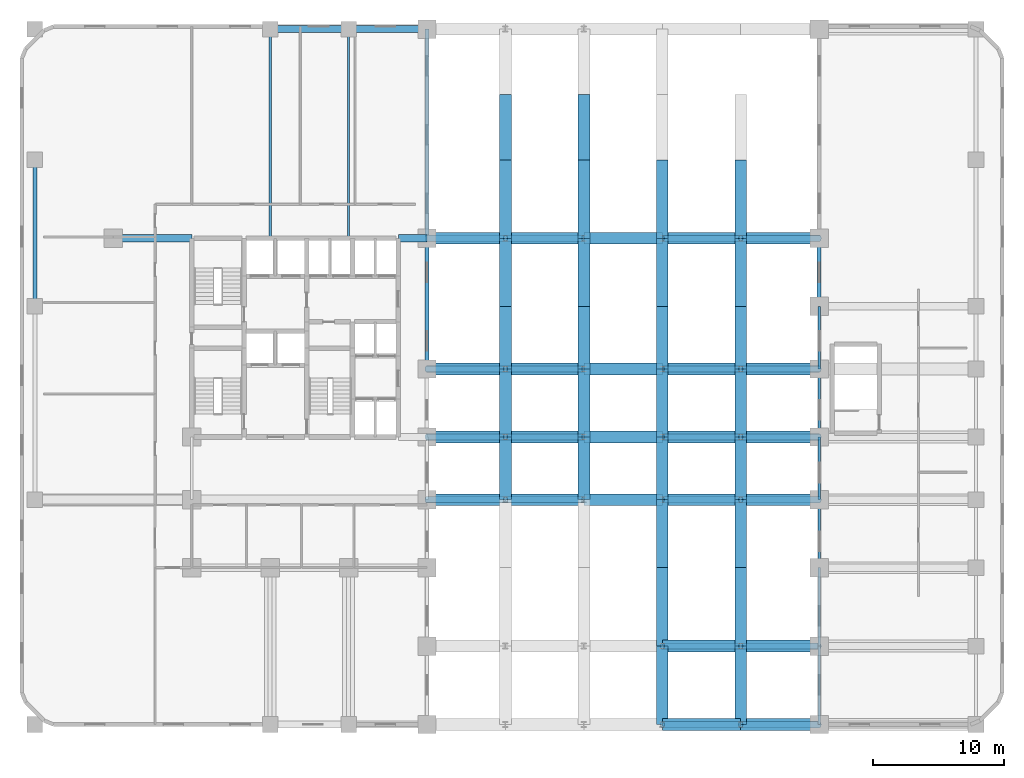
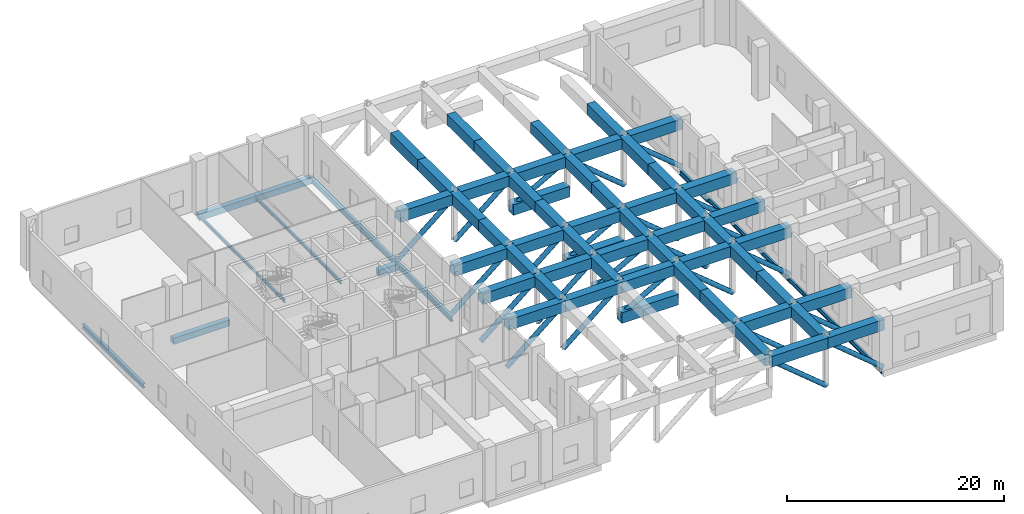
# One storey, part 2 of 11: 72 beams, 24 members.
"""IFC4 building model written with IfcOpenShell, lengths in metres."""

from ifc_helpers import new_model, si_unit, direction, frame, origin, origin_2d, place, context, subcontext, project, spatial, rectangle, hollow_circle, i_section, extrude, material, material_profile, profile_set, type_object, element, save


model = new_model("IFC4")

# Units and contexts
model_context = context("Model", 3, precision=1e-05, world=origin(), true_north=direction((0.0, 1.0)))
body_context = subcontext(model_context, "Body", "Model", "MODEL_VIEW")
ifc_project = project(units=[si_unit("LENGTHUNIT", "METRE"), si_unit("AREAUNIT", "SQUARE_METRE"), si_unit("VOLUMEUNIT", "CUBIC_METRE"), si_unit("PLANEANGLEUNIT", "RADIAN"), si_unit("MASSUNIT", "GRAM", prefix="KILO")], contexts=[model_context])

# Site, building, storey
site_placement = place(None, origin())
site = spatial("IfcSite", under=ifc_project, at=site_placement, CompositionType="ELEMENT")
building_placement = place(site_placement, origin())
building = spatial("IfcBuilding", under=site, at=building_placement, Name="Keshet Zoharim Tower", CompositionType="ELEMENT")
storey_placement = place(building_placement, frame((0.0, 0.0, 13.0)))
storey = spatial("IfcBuildingStorey", under=building, at=storey_placement, Name="L02", CompositionType="ELEMENT", Elevation=13.0)

# Beams
ifc_material_1 = material(Name="Concrete C60/75", Category="concrete")
ifc_material_profile_1 = material_profile(ifc_material_1, rectangle(XDim=0.89990234375, YDim=1.199951171875, at=origin_2d()), Name="RC1200x900")
ifc_profile_set_1 = profile_set([ifc_material_profile_1], Name="Concrete C60/75")
beam_type_1 = type_object("IfcBeamType", Name="BM-ARCH-1200", PredefinedType="BEAM", material=ifc_profile_set_1)
for number, where, z_axis, x_axis, name in (
    (1, (45.0, 17.89990234375, 1.56298828125), (1.0, 0.0, 0.0), (0.0, 1.0, 0.0), "Arch Spandrel Transfer Rib D-03"),
    (2, (45.0, 22.699951171875, 1.56298828125), (1.0, 0.0, 0.0), (0.0, 1.0, 0.0), "Arch Spandrel Transfer Rib E-03"),
    (3, (45.0, 27.89990234375, 1.56298828125), (1.0, 0.0, 0.0), (0.0, 1.0, 0.0), "Arch Spandrel Transfer Rib F-03"),
    (4, (45.0, 37.89990234375, 1.56298828125), (1.0, 0.0, 0.0), (0.0, 1.0, 0.0), "Arch Spandrel Transfer Rib H-03"),
):
    element("IfcBeam", number, at=place(storey_placement, frame(where, z_axis=z_axis, x_axis=x_axis)), inside=storey, type_object=beam_type_1, Name=name, PredefinedType="BEAM", context=body_context, shape_type="SweptSolid", body=[
        extrude(rectangle(XDim=0.89990234375, YDim=1.199951171875, at=origin_2d()), origin(), (0.0, 0.0, 1.0), 6.0),
    ])
ifc_material_2 = material(Name="Steel S355", Category="steel")
ifc_material_profile_2 = material_profile(ifc_material_2, i_section(OverallWidth=0.169921875, OverallDepth=0.360107421875, WebThickness=0.008056640625, FlangeThickness=0.0126953125, FilletRadius=0.01806640625, at=origin_2d()), Name="IPE360")
ifc_profile_set_2 = profile_set([ifc_material_profile_2], Name="Steel S355")
beam_type_2 = type_object("IfcBeamType", Name="BM-JST-IP360", PredefinedType="JOIST", material=ifc_profile_set_2)
for number, where, z_axis, x_axis, name in (
    (5, (21.0, 37.89990234375, -0.510009765625), (0.0, 1.0, 0.0), (-1.0, 0.0, 0.0), "L02 Secondary Floor Joist J-001"),
    (6, (27.0, 37.89990234375, -0.510009765625), (0.0, 1.0, 0.0), (-1.0, 0.0, 0.0), "L02 Secondary Floor Joist J-002"),
):
    element("IfcBeam", number, at=place(storey_placement, frame(where, z_axis=z_axis, x_axis=x_axis)), inside=storey, type_object=beam_type_2, Name=name, PredefinedType="JOIST", context=body_context, shape_type="SweptSolid", body=[
        extrude(i_section(OverallWidth=0.169921875, OverallDepth=0.360107421875, WebThickness=0.008056640625, FlangeThickness=0.0126953125, FilletRadius=0.01806640625, at=origin_2d()), origin(), (0.0, 0.0, 1.0), 16.0),
    ])
ifc_material_profile_3 = material_profile(ifc_material_2, i_section(OverallWidth=0.300048828125, OverallDepth=0.60009765625, WebThickness=0.015380859375, FlangeThickness=0.030029296875, FilletRadius=0.027099609375, at=origin_2d()), Name="HEB600")
ifc_profile_set_3 = profile_set([ifc_material_profile_3], Name="Steel S355")
beam_type_3 = type_object("IfcBeamType", Name="BM-LNG-HB600", PredefinedType="BEAM", material=ifc_profile_set_3)
beam_1_placement = place(storey_placement, frame((33.0, 27.89990234375, -0.6298828125), z_axis=(0.0, 1.0, 0.0), x_axis=(-1.0, 0.0, 0.0)))
element("IfcBeam", 7, at=beam_1_placement, inside=storey, type_object=beam_type_3, Name="L02 Primary Girder Y-012", PredefinedType="BEAM", context=body_context, shape_type="SweptSolid", body=[
    extrude(i_section(OverallWidth=0.300048828125, OverallDepth=0.60009765625, WebThickness=0.015380859375, FlangeThickness=0.030029296875, FilletRadius=0.027099609375, at=origin_2d()), origin(), (0.0, 0.0, 1.0), 10.0),
])
beam_2_placement = place(storey_placement, frame((33.0, 37.89990234375, -0.6298828125), z_axis=(0.0, 1.0, 0.0), x_axis=(-1.0, 0.0, 0.0)))
element("IfcBeam", 8, at=beam_2_placement, inside=storey, type_object=beam_type_3, Name="L02 Primary Girder Y-013", PredefinedType="BEAM", context=body_context, shape_type="SweptSolid", body=[
    extrude(i_section(OverallWidth=0.300048828125, OverallDepth=0.60009765625, WebThickness=0.015380859375, FlangeThickness=0.030029296875, FilletRadius=0.027099609375, at=origin_2d()), origin(), (0.0, 0.0, 1.0), 16.0),
])
beam_3_placement = place(storey_placement, frame((63.0, 32.699951171875, -0.6298828125), z_axis=(0.0, 1.0, 0.0), x_axis=(-1.0, 0.0, 0.0)))
element("IfcBeam", 9, at=beam_3_placement, inside=storey, type_object=beam_type_3, Name="L02 Primary Girder Y-020", PredefinedType="BEAM", context=body_context, shape_type="SweptSolid", body=[
    extrude(i_section(OverallWidth=0.300048828125, OverallDepth=0.60009765625, WebThickness=0.015380859375, FlangeThickness=0.030029296875, FilletRadius=0.027099609375, at=origin_2d()), origin(), (0.0, 0.0, 1.0), 5.199951171875),
])
ifc_material_3 = material(Name="Concrete C50/60", Category="concrete")
ifc_material_profile_4 = material_profile(ifc_material_3, rectangle(XDim=0.550048828125, YDim=0.699951171875, at=origin_2d()), Name="RC700x550")
ifc_profile_set_4 = profile_set([ifc_material_profile_4], Name="Concrete C50/60")
beam_type_4 = type_object("IfcBeamType", Name="BM-LNT-700", PredefinedType="LINTEL", material=ifc_profile_set_4)
beam_4_placement = place(storey_placement, frame((9.0, 37.89990234375, -0.679931640625), z_axis=(1.0, 0.0, 0.0), x_axis=(0.0, 1.0, 0.0)))
element("IfcBeam", 10, at=beam_4_placement, inside=storey, type_object=beam_type_4, Name="L02 Primary Girder X-015", PredefinedType="LINTEL", context=body_context, shape_type="SweptSolid", body=[
    extrude(rectangle(XDim=0.550048828125, YDim=0.699951171875, at=origin_2d()), origin(), (0.0, 0.0, 1.0), 6.0),
])
beam_5_placement = place(storey_placement, frame((30.800048828125, 37.89990234375, -0.679931640625), z_axis=(1.0, 0.0, 0.0), x_axis=(0.0, 1.0, 0.0)))
element("IfcBeam", 11, at=beam_5_placement, inside=storey, type_object=beam_type_4, Name="L02 Primary Girder X-016", PredefinedType="LINTEL", context=body_context, shape_type="SweptSolid", body=[
    extrude(rectangle(XDim=0.550048828125, YDim=0.699951171875, at=origin_2d()), origin(), (0.0, 0.0, 1.0), 2.199951171875),
])
for number, where, z_axis, x_axis, name in (
    (12, (21.0, 53.89990234375, -0.679931640625), (1.0, 0.0, 0.0), (0.0, 1.0, 0.0), "L02 Primary Girder X-017"),
    (13, (27.0, 53.89990234375, -0.679931640625), (1.0, 0.0, 0.0), (0.0, 1.0, 0.0), "L02 Primary Girder X-018"),
):
    element("IfcBeam", number, at=place(storey_placement, frame(where, z_axis=z_axis, x_axis=x_axis)), inside=storey, type_object=beam_type_4, Name=name, PredefinedType="LINTEL", context=body_context, shape_type="SweptSolid", body=[
        extrude(rectangle(XDim=0.550048828125, YDim=0.699951171875, at=origin_2d()), origin(), (0.0, 0.0, 1.0), 6.0),
    ])
ifc_material_profile_5 = material_profile(ifc_material_2, i_section(OverallWidth=0.300048828125, OverallDepth=0.5, WebThickness=0.014404296875, FlangeThickness=0.028076171875, FilletRadius=0.027099609375, at=origin_2d()), Name="HEB500")
ifc_profile_set_5 = profile_set([ifc_material_profile_5], Name="Steel S355")
beam_type_5 = type_object("IfcBeamType", Name="BM-MED-HB500", PredefinedType="BEAM", material=ifc_profile_set_5)
beam_6_placement = place(storey_placement, frame((3.0, 32.699951171875, -0.580078125), z_axis=(0.0, 1.0, 0.0), x_axis=(-1.0, 0.0, 0.0)))
element("IfcBeam", 14, at=beam_6_placement, inside=storey, type_object=beam_type_5, Name="L02 Primary Girder Y-002", PredefinedType="BEAM", context=body_context, shape_type="SweptSolid", body=[
    extrude(i_section(OverallWidth=0.300048828125, OverallDepth=0.5, WebThickness=0.014404296875, FlangeThickness=0.028076171875, FilletRadius=0.027099609375, at=origin_2d()), origin(), (0.0, 0.0, 1.0), 11.199951171875),
])
ifc_material_profile_6 = material_profile(ifc_material_2, i_section(OverallWidth=0.199951171875, OverallDepth=0.5, WebThickness=0.01025390625, FlangeThickness=0.01611328125, FilletRadius=0.02099609375, at=origin_2d()), Name="IPE500")
ifc_profile_set_6 = profile_set([ifc_material_profile_6], Name="Steel S355")
beam_type_6 = type_object("IfcBeamType", Name="BM-PRI-IP500", PredefinedType="BEAM", material=ifc_profile_set_6)
for number, where, z_axis, x_axis, name in (
    (15, (63.0, 0.699951171875, -0.580078125), (0.0, 1.0, 0.0), (-1.0, 0.0, 0.0), "L02 Primary Girder Y-014"),
    (16, (63.0, 6.699951171875, -0.580078125), (0.0, 1.0, 0.0), (-1.0, 0.0, 0.0), "L02 Primary Girder Y-015"),
):
    element("IfcBeam", number, at=place(storey_placement, frame(where, z_axis=z_axis, x_axis=x_axis)), inside=storey, type_object=beam_type_6, Name=name, PredefinedType="BEAM", context=body_context, shape_type="SweptSolid", body=[
        extrude(i_section(OverallWidth=0.199951171875, OverallDepth=0.5, WebThickness=0.01025390625, FlangeThickness=0.01611328125, FilletRadius=0.02099609375, at=origin_2d()), origin(), (0.0, 0.0, 1.0), 6.0),
    ])
beam_7_placement = place(storey_placement, frame((63.0, 12.699951171875, -0.580078125), z_axis=(0.0, 1.0, 0.0), x_axis=(-1.0, 0.0, 0.0)))
element("IfcBeam", 17, at=beam_7_placement, inside=storey, type_object=beam_type_6, Name="L02 Primary Girder Y-016", PredefinedType="BEAM", context=body_context, shape_type="SweptSolid", body=[
    extrude(i_section(OverallWidth=0.199951171875, OverallDepth=0.5, WebThickness=0.01025390625, FlangeThickness=0.01611328125, FilletRadius=0.02099609375, at=origin_2d()), origin(), (0.0, 0.0, 1.0), 5.199951171875),
])
beam_8_placement = place(storey_placement, frame((63.0, 17.89990234375, -0.580078125), z_axis=(0.0, 1.0, 0.0), x_axis=(-1.0, 0.0, 0.0)))
element("IfcBeam", 18, at=beam_8_placement, inside=storey, type_object=beam_type_6, Name="L02 Primary Girder Y-017", PredefinedType="BEAM", context=body_context, shape_type="SweptSolid", body=[
    extrude(i_section(OverallWidth=0.199951171875, OverallDepth=0.5, WebThickness=0.01025390625, FlangeThickness=0.01611328125, FilletRadius=0.02099609375, at=origin_2d()), origin(), (0.0, 0.0, 1.0), 4.800048828125),
])
beam_9_placement = place(storey_placement, frame((63.0, 22.699951171875, -0.580078125), z_axis=(0.0, 1.0, 0.0), x_axis=(-1.0, 0.0, 0.0)))
element("IfcBeam", 19, at=beam_9_placement, inside=storey, type_object=beam_type_6, Name="L02 Primary Girder Y-018", PredefinedType="BEAM", context=body_context, shape_type="SweptSolid", body=[
    extrude(i_section(OverallWidth=0.199951171875, OverallDepth=0.5, WebThickness=0.01025390625, FlangeThickness=0.01611328125, FilletRadius=0.02099609375, at=origin_2d()), origin(), (0.0, 0.0, 1.0), 5.199951171875),
])
beam_10_placement = place(storey_placement, frame((63.0, 27.89990234375, -0.580078125), z_axis=(0.0, 1.0, 0.0), x_axis=(-1.0, 0.0, 0.0)))
element("IfcBeam", 20, at=beam_10_placement, inside=storey, type_object=beam_type_6, Name="L02 Primary Girder Y-019", PredefinedType="BEAM", context=body_context, shape_type="SweptSolid", body=[
    extrude(i_section(OverallWidth=0.199951171875, OverallDepth=0.5, WebThickness=0.01025390625, FlangeThickness=0.01611328125, FilletRadius=0.02099609375, at=origin_2d()), origin(), (0.0, 0.0, 1.0), 4.800048828125),
])
ifc_material_profile_7 = material_profile(ifc_material_1, rectangle(XDim=0.89990234375, YDim=1.199951171875, at=origin_2d()), Name="RC1200x900")
ifc_profile_set_7 = profile_set([ifc_material_profile_7], Name="Concrete C60/75")
beam_type_7 = type_object("IfcBeamType", Name="BM-XFER-1200", PredefinedType="BEAM", material=ifc_profile_set_7)
for number, where, z_axis, x_axis, name in (
    (21, (51.0, 0.699951171875, 4.97998046875), (1.0, 0.0, 0.0), (0.0, 1.0, 0.0), "Podium Transfer Girder A 51-57"),
    (22, (57.0, 0.699951171875, 4.97998046875), (1.0, 0.0, 0.0), (0.0, 1.0, 0.0), "Podium Transfer Girder A 57-63"),
    (23, (51.0, 6.699951171875, 4.97998046875), (1.0, 0.0, 0.0), (0.0, 1.0, 0.0), "Podium Transfer Girder B 51-57"),
    (24, (57.0, 6.699951171875, 4.97998046875), (1.0, 0.0, 0.0), (0.0, 1.0, 0.0), "Podium Transfer Girder B 57-63"),
    (25, (33.0, 17.89990234375, 4.97998046875), (1.0, 0.0, 0.0), (0.0, 1.0, 0.0), "Podium Transfer Girder D 33-39"),
    (26, (39.0, 17.89990234375, 4.97998046875), (1.0, 0.0, 0.0), (0.0, 1.0, 0.0), "Podium Transfer Girder D 39-45"),
    (27, (45.0, 17.89990234375, 4.97998046875), (1.0, 0.0, 0.0), (0.0, 1.0, 0.0), "Podium Transfer Girder D 45-51"),
    (28, (51.0, 17.89990234375, 4.97998046875), (1.0, 0.0, 0.0), (0.0, 1.0, 0.0), "Podium Transfer Girder D 51-57"),
    (29, (57.0, 17.89990234375, 4.97998046875), (1.0, 0.0, 0.0), (0.0, 1.0, 0.0), "Podium Transfer Girder D 57-63"),
    (30, (33.0, 22.699951171875, 4.97998046875), (1.0, 0.0, 0.0), (0.0, 1.0, 0.0), "Podium Transfer Girder E 33-39"),
    (31, (39.0, 22.699951171875, 4.97998046875), (1.0, 0.0, 0.0), (0.0, 1.0, 0.0), "Podium Transfer Girder E 39-45"),
    (32, (45.0, 22.699951171875, 4.97998046875), (1.0, 0.0, 0.0), (0.0, 1.0, 0.0), "Podium Transfer Girder E 45-51"),
    (33, (51.0, 22.699951171875, 4.97998046875), (1.0, 0.0, 0.0), (0.0, 1.0, 0.0), "Podium Transfer Girder E 51-57"),
    (34, (57.0, 22.699951171875, 4.97998046875), (1.0, 0.0, 0.0), (0.0, 1.0, 0.0), "Podium Transfer Girder E 57-63"),
    (35, (33.0, 27.89990234375, 4.97998046875), (1.0, 0.0, 0.0), (0.0, 1.0, 0.0), "Podium Transfer Girder F 33-39"),
    (36, (39.0, 27.89990234375, 4.97998046875), (1.0, 0.0, 0.0), (0.0, 1.0, 0.0), "Podium Transfer Girder F 39-45"),
    (37, (45.0, 27.89990234375, 4.97998046875), (1.0, 0.0, 0.0), (0.0, 1.0, 0.0), "Podium Transfer Girder F 45-51"),
    (38, (51.0, 27.89990234375, 4.97998046875), (1.0, 0.0, 0.0), (0.0, 1.0, 0.0), "Podium Transfer Girder F 51-57"),
    (39, (57.0, 27.89990234375, 4.97998046875), (1.0, 0.0, 0.0), (0.0, 1.0, 0.0), "Podium Transfer Girder F 57-63"),
    (40, (33.0, 37.89990234375, 4.97998046875), (1.0, 0.0, 0.0), (0.0, 1.0, 0.0), "Podium Transfer Girder H 33-39"),
    (41, (39.0, 37.89990234375, 4.97998046875), (1.0, 0.0, 0.0), (0.0, 1.0, 0.0), "Podium Transfer Girder H 39-45"),
    (42, (45.0, 37.89990234375, 4.97998046875), (1.0, 0.0, 0.0), (0.0, 1.0, 0.0), "Podium Transfer Girder H 45-51"),
    (43, (51.0, 37.89990234375, 4.97998046875), (1.0, 0.0, 0.0), (0.0, 1.0, 0.0), "Podium Transfer Girder H 51-57"),
    (44, (57.0, 37.89990234375, 4.97998046875), (1.0, 0.0, 0.0), (0.0, 1.0, 0.0), "Podium Transfer Girder H 57-63"),
):
    element("IfcBeam", number, at=place(storey_placement, frame(where, z_axis=z_axis, x_axis=x_axis)), inside=storey, type_object=beam_type_7, Name=name, PredefinedType="BEAM", context=body_context, shape_type="SweptSolid", body=[
        extrude(rectangle(XDim=0.89990234375, YDim=1.199951171875, at=origin_2d()), origin(), (0.0, 0.0, 1.0), 6.0),
    ])
beam_11_placement = place(storey_placement, frame((39.0, 17.89990234375, 4.97998046875), z_axis=(0.0, 1.0, 0.0), x_axis=(-1.0, 0.0, 0.0)))
element("IfcBeam", 45, at=beam_11_placement, inside=storey, type_object=beam_type_7, Name="Podium Transverse Transfer Girder X39-17.9", PredefinedType="BEAM", context=body_context, shape_type="SweptSolid", body=[
    extrude(rectangle(XDim=0.89990234375, YDim=1.199951171875, at=origin_2d()), origin(), (0.0, 0.0, 1.0), 4.800048828125),
])
beam_12_placement = place(storey_placement, frame((39.0, 22.699951171875, 4.97998046875), z_axis=(0.0, 1.0, 0.0), x_axis=(-1.0, 0.0, 0.0)))
element("IfcBeam", 46, at=beam_12_placement, inside=storey, type_object=beam_type_7, Name="Podium Transverse Transfer Girder X39-22.7", PredefinedType="BEAM", context=body_context, shape_type="SweptSolid", body=[
    extrude(rectangle(XDim=0.89990234375, YDim=1.199951171875, at=origin_2d()), origin(), (0.0, 0.0, 1.0), 5.199951171875),
])
beam_13_placement = place(storey_placement, frame((39.0, 27.89990234375, 4.97998046875), z_axis=(0.0, 1.0, 0.0), x_axis=(-1.0, 0.0, 0.0)))
element("IfcBeam", 47, at=beam_13_placement, inside=storey, type_object=beam_type_7, Name="Podium Transverse Transfer Girder X39-27.9", PredefinedType="BEAM", context=body_context, shape_type="SweptSolid", body=[
    extrude(rectangle(XDim=0.89990234375, YDim=1.199951171875, at=origin_2d()), origin(), (0.0, 0.0, 1.0), 4.800048828125),
])
beam_14_placement = place(storey_placement, frame((39.0, 32.699951171875, 4.97998046875), z_axis=(0.0, 1.0, 0.0), x_axis=(-1.0, 0.0, 0.0)))
element("IfcBeam", 48, at=beam_14_placement, inside=storey, type_object=beam_type_7, Name="Podium Transverse Transfer Girder X39-32.7", PredefinedType="BEAM", context=body_context, shape_type="SweptSolid", body=[
    extrude(rectangle(XDim=0.89990234375, YDim=1.199951171875, at=origin_2d()), origin(), (0.0, 0.0, 1.0), 5.199951171875),
])
beam_15_placement = place(storey_placement, frame((39.0, 37.89990234375, 4.97998046875), z_axis=(0.0, 1.0, 0.0), x_axis=(-1.0, 0.0, 0.0)))
element("IfcBeam", 49, at=beam_15_placement, inside=storey, type_object=beam_type_7, Name="Podium Transverse Transfer Girder X39-37.9", PredefinedType="BEAM", context=body_context, shape_type="SweptSolid", body=[
    extrude(rectangle(XDim=0.89990234375, YDim=1.199951171875, at=origin_2d()), origin(), (0.0, 0.0, 1.0), 6.0),
])
beam_16_placement = place(storey_placement, frame((39.0, 43.89990234375, 4.97998046875), z_axis=(0.0, 1.0, 0.0), x_axis=(-1.0, 0.0, 0.0)))
element("IfcBeam", 50, at=beam_16_placement, inside=storey, type_object=beam_type_7, Name="Podium Transverse Transfer Girder X39-43.9", PredefinedType="BEAM", context=body_context, shape_type="SweptSolid", body=[
    extrude(rectangle(XDim=0.89990234375, YDim=1.199951171875, at=origin_2d()), origin(), (0.0, 0.0, 1.0), 5.0),
])
beam_17_placement = place(storey_placement, frame((45.0, 17.89990234375, 4.97998046875), z_axis=(0.0, 1.0, 0.0), x_axis=(-1.0, 0.0, 0.0)))
element("IfcBeam", 51, at=beam_17_placement, inside=storey, type_object=beam_type_7, Name="Podium Transverse Transfer Girder X45-17.9", PredefinedType="BEAM", context=body_context, shape_type="SweptSolid", body=[
    extrude(rectangle(XDim=0.89990234375, YDim=1.199951171875, at=origin_2d()), origin(), (0.0, 0.0, 1.0), 4.800048828125),
])
beam_18_placement = place(storey_placement, frame((45.0, 22.699951171875, 4.97998046875), z_axis=(0.0, 1.0, 0.0), x_axis=(-1.0, 0.0, 0.0)))
element("IfcBeam", 52, at=beam_18_placement, inside=storey, type_object=beam_type_7, Name="Podium Transverse Transfer Girder X45-22.7", PredefinedType="BEAM", context=body_context, shape_type="SweptSolid", body=[
    extrude(rectangle(XDim=0.89990234375, YDim=1.199951171875, at=origin_2d()), origin(), (0.0, 0.0, 1.0), 5.199951171875),
])
beam_19_placement = place(storey_placement, frame((45.0, 27.89990234375, 4.97998046875), z_axis=(0.0, 1.0, 0.0), x_axis=(-1.0, 0.0, 0.0)))
element("IfcBeam", 53, at=beam_19_placement, inside=storey, type_object=beam_type_7, Name="Podium Transverse Transfer Girder X45-27.9", PredefinedType="BEAM", context=body_context, shape_type="SweptSolid", body=[
    extrude(rectangle(XDim=0.89990234375, YDim=1.199951171875, at=origin_2d()), origin(), (0.0, 0.0, 1.0), 4.800048828125),
])
beam_20_placement = place(storey_placement, frame((45.0, 32.699951171875, 4.97998046875), z_axis=(0.0, 1.0, 0.0), x_axis=(-1.0, 0.0, 0.0)))
element("IfcBeam", 54, at=beam_20_placement, inside=storey, type_object=beam_type_7, Name="Podium Transverse Transfer Girder X45-32.7", PredefinedType="BEAM", context=body_context, shape_type="SweptSolid", body=[
    extrude(rectangle(XDim=0.89990234375, YDim=1.199951171875, at=origin_2d()), origin(), (0.0, 0.0, 1.0), 5.199951171875),
])
beam_21_placement = place(storey_placement, frame((45.0, 37.89990234375, 4.97998046875), z_axis=(0.0, 1.0, 0.0), x_axis=(-1.0, 0.0, 0.0)))
element("IfcBeam", 55, at=beam_21_placement, inside=storey, type_object=beam_type_7, Name="Podium Transverse Transfer Girder X45-37.9", PredefinedType="BEAM", context=body_context, shape_type="SweptSolid", body=[
    extrude(rectangle(XDim=0.89990234375, YDim=1.199951171875, at=origin_2d()), origin(), (0.0, 0.0, 1.0), 6.0),
])
beam_22_placement = place(storey_placement, frame((45.0, 43.89990234375, 4.97998046875), z_axis=(0.0, 1.0, 0.0), x_axis=(-1.0, 0.0, 0.0)))
element("IfcBeam", 56, at=beam_22_placement, inside=storey, type_object=beam_type_7, Name="Podium Transverse Transfer Girder X45-43.9", PredefinedType="BEAM", context=body_context, shape_type="SweptSolid", body=[
    extrude(rectangle(XDim=0.89990234375, YDim=1.199951171875, at=origin_2d()), origin(), (0.0, 0.0, 1.0), 5.0),
])
for number, where, z_axis, x_axis, name in (
    (57, (51.0, 0.699951171875, 4.97998046875), (0.0, 1.0, 0.0), (-1.0, 0.0, 0.0), "Podium Transverse Transfer Girder X51-0.7"),
    (58, (51.0, 6.699951171875, 4.97998046875), (0.0, 1.0, 0.0), (-1.0, 0.0, 0.0), "Podium Transverse Transfer Girder X51-6.7"),
):
    element("IfcBeam", number, at=place(storey_placement, frame(where, z_axis=z_axis, x_axis=x_axis)), inside=storey, type_object=beam_type_7, Name=name, PredefinedType="BEAM", context=body_context, shape_type="SweptSolid", body=[
        extrude(rectangle(XDim=0.89990234375, YDim=1.199951171875, at=origin_2d()), origin(), (0.0, 0.0, 1.0), 6.0),
    ])
beam_23_placement = place(storey_placement, frame((51.0, 12.699951171875, 4.97998046875), z_axis=(0.0, 1.0, 0.0), x_axis=(-1.0, 0.0, 0.0)))
element("IfcBeam", 59, at=beam_23_placement, inside=storey, type_object=beam_type_7, Name="Podium Transverse Transfer Girder X51-12.7", PredefinedType="BEAM", context=body_context, shape_type="SweptSolid", body=[
    extrude(rectangle(XDim=0.89990234375, YDim=1.199951171875, at=origin_2d()), origin(), (0.0, 0.0, 1.0), 5.199951171875),
])
beam_24_placement = place(storey_placement, frame((51.0, 17.89990234375, 4.97998046875), z_axis=(0.0, 1.0, 0.0), x_axis=(-1.0, 0.0, 0.0)))
element("IfcBeam", 60, at=beam_24_placement, inside=storey, type_object=beam_type_7, Name="Podium Transverse Transfer Girder X51-17.9", PredefinedType="BEAM", context=body_context, shape_type="SweptSolid", body=[
    extrude(rectangle(XDim=0.89990234375, YDim=1.199951171875, at=origin_2d()), origin(), (0.0, 0.0, 1.0), 4.800048828125),
])
beam_25_placement = place(storey_placement, frame((51.0, 22.699951171875, 4.97998046875), z_axis=(0.0, 1.0, 0.0), x_axis=(-1.0, 0.0, 0.0)))
element("IfcBeam", 61, at=beam_25_placement, inside=storey, type_object=beam_type_7, Name="Podium Transverse Transfer Girder X51-22.7", PredefinedType="BEAM", context=body_context, shape_type="SweptSolid", body=[
    extrude(rectangle(XDim=0.89990234375, YDim=1.199951171875, at=origin_2d()), origin(), (0.0, 0.0, 1.0), 5.199951171875),
])
beam_26_placement = place(storey_placement, frame((51.0, 27.89990234375, 4.97998046875), z_axis=(0.0, 1.0, 0.0), x_axis=(-1.0, 0.0, 0.0)))
element("IfcBeam", 62, at=beam_26_placement, inside=storey, type_object=beam_type_7, Name="Podium Transverse Transfer Girder X51-27.9", PredefinedType="BEAM", context=body_context, shape_type="SweptSolid", body=[
    extrude(rectangle(XDim=0.89990234375, YDim=1.199951171875, at=origin_2d()), origin(), (0.0, 0.0, 1.0), 4.800048828125),
])
beam_27_placement = place(storey_placement, frame((51.0, 32.699951171875, 4.97998046875), z_axis=(0.0, 1.0, 0.0), x_axis=(-1.0, 0.0, 0.0)))
element("IfcBeam", 63, at=beam_27_placement, inside=storey, type_object=beam_type_7, Name="Podium Transverse Transfer Girder X51-32.7", PredefinedType="BEAM", context=body_context, shape_type="SweptSolid", body=[
    extrude(rectangle(XDim=0.89990234375, YDim=1.199951171875, at=origin_2d()), origin(), (0.0, 0.0, 1.0), 5.199951171875),
])
for number, where, z_axis, x_axis, name in (
    (64, (51.0, 37.89990234375, 4.97998046875), (0.0, 1.0, 0.0), (-1.0, 0.0, 0.0), "Podium Transverse Transfer Girder X51-37.9"),
    (65, (57.0, 0.699951171875, 4.97998046875), (0.0, 1.0, 0.0), (-1.0, 0.0, 0.0), "Podium Transverse Transfer Girder X57-0.7"),
    (66, (57.0, 6.699951171875, 4.97998046875), (0.0, 1.0, 0.0), (-1.0, 0.0, 0.0), "Podium Transverse Transfer Girder X57-6.7"),
):
    element("IfcBeam", number, at=place(storey_placement, frame(where, z_axis=z_axis, x_axis=x_axis)), inside=storey, type_object=beam_type_7, Name=name, PredefinedType="BEAM", context=body_context, shape_type="SweptSolid", body=[
        extrude(rectangle(XDim=0.89990234375, YDim=1.199951171875, at=origin_2d()), origin(), (0.0, 0.0, 1.0), 6.0),
    ])
beam_28_placement = place(storey_placement, frame((57.0, 12.699951171875, 4.97998046875), z_axis=(0.0, 1.0, 0.0), x_axis=(-1.0, 0.0, 0.0)))
element("IfcBeam", 67, at=beam_28_placement, inside=storey, type_object=beam_type_7, Name="Podium Transverse Transfer Girder X57-12.7", PredefinedType="BEAM", context=body_context, shape_type="SweptSolid", body=[
    extrude(rectangle(XDim=0.89990234375, YDim=1.199951171875, at=origin_2d()), origin(), (0.0, 0.0, 1.0), 5.199951171875),
])
beam_29_placement = place(storey_placement, frame((57.0, 17.89990234375, 4.97998046875), z_axis=(0.0, 1.0, 0.0), x_axis=(-1.0, 0.0, 0.0)))
element("IfcBeam", 68, at=beam_29_placement, inside=storey, type_object=beam_type_7, Name="Podium Transverse Transfer Girder X57-17.9", PredefinedType="BEAM", context=body_context, shape_type="SweptSolid", body=[
    extrude(rectangle(XDim=0.89990234375, YDim=1.199951171875, at=origin_2d()), origin(), (0.0, 0.0, 1.0), 4.800048828125),
])
beam_30_placement = place(storey_placement, frame((57.0, 22.699951171875, 4.97998046875), z_axis=(0.0, 1.0, 0.0), x_axis=(-1.0, 0.0, 0.0)))
element("IfcBeam", 69, at=beam_30_placement, inside=storey, type_object=beam_type_7, Name="Podium Transverse Transfer Girder X57-22.7", PredefinedType="BEAM", context=body_context, shape_type="SweptSolid", body=[
    extrude(rectangle(XDim=0.89990234375, YDim=1.199951171875, at=origin_2d()), origin(), (0.0, 0.0, 1.0), 5.199951171875),
])
beam_31_placement = place(storey_placement, frame((57.0, 27.89990234375, 4.97998046875), z_axis=(0.0, 1.0, 0.0), x_axis=(-1.0, 0.0, 0.0)))
element("IfcBeam", 70, at=beam_31_placement, inside=storey, type_object=beam_type_7, Name="Podium Transverse Transfer Girder X57-27.9", PredefinedType="BEAM", context=body_context, shape_type="SweptSolid", body=[
    extrude(rectangle(XDim=0.89990234375, YDim=1.199951171875, at=origin_2d()), origin(), (0.0, 0.0, 1.0), 4.800048828125),
])
beam_32_placement = place(storey_placement, frame((57.0, 32.699951171875, 4.97998046875), z_axis=(0.0, 1.0, 0.0), x_axis=(-1.0, 0.0, 0.0)))
element("IfcBeam", 71, at=beam_32_placement, inside=storey, type_object=beam_type_7, Name="Podium Transverse Transfer Girder X57-32.7", PredefinedType="BEAM", context=body_context, shape_type="SweptSolid", body=[
    extrude(rectangle(XDim=0.89990234375, YDim=1.199951171875, at=origin_2d()), origin(), (0.0, 0.0, 1.0), 5.199951171875),
])
beam_33_placement = place(storey_placement, frame((57.0, 37.89990234375, 4.97998046875), z_axis=(0.0, 1.0, 0.0), x_axis=(-1.0, 0.0, 0.0)))
element("IfcBeam", 72, at=beam_33_placement, inside=storey, type_object=beam_type_7, Name="Podium Transverse Transfer Girder X57-37.9", PredefinedType="BEAM", context=body_context, shape_type="SweptSolid", body=[
    extrude(rectangle(XDim=0.89990234375, YDim=1.199951171875, at=origin_2d()), origin(), (0.0, 0.0, 1.0), 6.0),
])

# Members
ifc_material_profile_8 = material_profile(ifc_material_2, hollow_circle(Radius=0.25390625, WallThickness=0.02001953125, at=origin_2d()), Name="CHS508x20")
ifc_profile_set_8 = profile_set([ifc_material_profile_8], Name="Steel S355")
member_type = type_object("IfcMemberType", Name="MB-XFER-C508", PredefinedType="BRACE", material=ifc_profile_set_8)
for number, where, z_axis, x_axis, name in (
    (73, (57.0, 0.699951171875, 0.0), (-0.76948246386, 0.0, 0.638667940178), (0.0, -1.0, 0.0), "Arch Spandrel Transfer Truss Diagonal A-51"),
    (74, (63.0, 0.699951171875, 0.0), (-0.76948246386, 0.0, 0.638667940178), (0.0, -1.0, 0.0), "Arch Spandrel Transfer Truss Diagonal A-57"),
    (75, (57.0, 6.699951171875, 0.0), (-0.76948246386, 0.0, 0.638667940178), (0.0, -1.0, 0.0), "Arch Spandrel Transfer Truss Diagonal B-51"),
    (76, (63.0, 6.699951171875, 0.0), (-0.76948246386, 0.0, 0.638667940178), (0.0, -1.0, 0.0), "Arch Spandrel Transfer Truss Diagonal B-57"),
    (77, (33.0, 17.89990234375, 0.0), (0.76948246386, 0.0, 0.638667940178), (0.0, 1.0, 0.0), "Arch Spandrel Transfer Truss Diagonal D-33"),
    (78, (39.0, 17.89990234375, 0.0), (0.76948246386, 0.0, 0.638667940178), (0.0, 1.0, 0.0), "Arch Spandrel Transfer Truss Diagonal D-39"),
):
    element("IfcMember", number, at=place(storey_placement, frame(where, z_axis=z_axis, x_axis=x_axis)), inside=storey, type_object=member_type, Name=name, PredefinedType="BRACE", context=body_context, shape_type="SweptSolid", body=[
        extrude(hollow_circle(Radius=0.25390625, WallThickness=0.02001953125, at=origin_2d()), origin(), (0.0, 0.0, 1.0), 7.79736328125),
    ])
member_1_placement = place(storey_placement, frame((45.0, 17.89990234375, 1.56298828125), z_axis=(0.868964618235, 0.0, 0.494874218621), x_axis=(0.0, 1.0, 0.0)))
element("IfcMember", 79, at=member_1_placement, inside=storey, type_object=member_type, Name="Arch Spandrel Transfer Truss Diagonal D-45", PredefinedType="BRACE", context=body_context, shape_type="SweptSolid", body=[
    extrude(hollow_circle(Radius=0.25390625, WallThickness=0.02001953125, at=origin_2d()), origin(), (0.0, 0.0, 1.0), 6.90478515625),
])
for number, where, z_axis, x_axis, name in (
    (80, (57.0, 17.89990234375, 0.0), (-0.76948246386, 0.0, 0.638667940178), (0.0, -1.0, 0.0), "Arch Spandrel Transfer Truss Diagonal D-51"),
    (81, (63.0, 17.89990234375, 0.0), (-0.76948246386, 0.0, 0.638667940178), (0.0, -1.0, 0.0), "Arch Spandrel Transfer Truss Diagonal D-57"),
    (82, (33.0, 22.699951171875, 0.0), (0.76948246386, 0.0, 0.638667940178), (0.0, 1.0, 0.0), "Arch Spandrel Transfer Truss Diagonal E-33"),
    (83, (39.0, 22.699951171875, 0.0), (0.76948246386, 0.0, 0.638667940178), (0.0, 1.0, 0.0), "Arch Spandrel Transfer Truss Diagonal E-39"),
):
    element("IfcMember", number, at=place(storey_placement, frame(where, z_axis=z_axis, x_axis=x_axis)), inside=storey, type_object=member_type, Name=name, PredefinedType="BRACE", context=body_context, shape_type="SweptSolid", body=[
        extrude(hollow_circle(Radius=0.25390625, WallThickness=0.02001953125, at=origin_2d()), origin(), (0.0, 0.0, 1.0), 7.79736328125),
    ])
member_2_placement = place(storey_placement, frame((45.0, 22.699951171875, 1.56298828125), z_axis=(0.868964618235, 0.0, 0.494874218621), x_axis=(0.0, 1.0, 0.0)))
element("IfcMember", 84, at=member_2_placement, inside=storey, type_object=member_type, Name="Arch Spandrel Transfer Truss Diagonal E-45", PredefinedType="BRACE", context=body_context, shape_type="SweptSolid", body=[
    extrude(hollow_circle(Radius=0.25390625, WallThickness=0.02001953125, at=origin_2d()), origin(), (0.0, 0.0, 1.0), 6.90478515625),
])
for number, where, z_axis, x_axis, name in (
    (85, (57.0, 22.699951171875, 0.0), (-0.76948246386, 0.0, 0.638667940178), (0.0, -1.0, 0.0), "Arch Spandrel Transfer Truss Diagonal E-51"),
    (86, (63.0, 22.699951171875, 0.0), (-0.76948246386, 0.0, 0.638667940178), (0.0, -1.0, 0.0), "Arch Spandrel Transfer Truss Diagonal E-57"),
    (87, (33.0, 27.89990234375, 0.0), (0.76948246386, 0.0, 0.638667940178), (0.0, 1.0, 0.0), "Arch Spandrel Transfer Truss Diagonal F-33"),
    (88, (39.0, 27.89990234375, 0.0), (0.76948246386, 0.0, 0.638667940178), (0.0, 1.0, 0.0), "Arch Spandrel Transfer Truss Diagonal F-39"),
):
    element("IfcMember", number, at=place(storey_placement, frame(where, z_axis=z_axis, x_axis=x_axis)), inside=storey, type_object=member_type, Name=name, PredefinedType="BRACE", context=body_context, shape_type="SweptSolid", body=[
        extrude(hollow_circle(Radius=0.25390625, WallThickness=0.02001953125, at=origin_2d()), origin(), (0.0, 0.0, 1.0), 7.79736328125),
    ])
member_3_placement = place(storey_placement, frame((45.0, 27.89990234375, 1.56298828125), z_axis=(0.868964618235, 0.0, 0.494874218621), x_axis=(0.0, 1.0, 0.0)))
element("IfcMember", 89, at=member_3_placement, inside=storey, type_object=member_type, Name="Arch Spandrel Transfer Truss Diagonal F-45", PredefinedType="BRACE", context=body_context, shape_type="SweptSolid", body=[
    extrude(hollow_circle(Radius=0.25390625, WallThickness=0.02001953125, at=origin_2d()), origin(), (0.0, 0.0, 1.0), 6.90478515625),
])
for number, where, z_axis, x_axis, name in (
    (90, (57.0, 27.89990234375, 0.0), (-0.76948246386, 0.0, 0.638667940178), (0.0, -1.0, 0.0), "Arch Spandrel Transfer Truss Diagonal F-51"),
    (91, (63.0, 27.89990234375, 0.0), (-0.76948246386, 0.0, 0.638667940178), (0.0, -1.0, 0.0), "Arch Spandrel Transfer Truss Diagonal F-57"),
    (92, (33.0, 37.89990234375, 0.0), (0.76948246386, 0.0, 0.638667940178), (0.0, 1.0, 0.0), "Arch Spandrel Transfer Truss Diagonal H-33"),
    (93, (39.0, 37.89990234375, 0.0), (0.76948246386, 0.0, 0.638667940178), (0.0, 1.0, 0.0), "Arch Spandrel Transfer Truss Diagonal H-39"),
):
    element("IfcMember", number, at=place(storey_placement, frame(where, z_axis=z_axis, x_axis=x_axis)), inside=storey, type_object=member_type, Name=name, PredefinedType="BRACE", context=body_context, shape_type="SweptSolid", body=[
        extrude(hollow_circle(Radius=0.25390625, WallThickness=0.02001953125, at=origin_2d()), origin(), (0.0, 0.0, 1.0), 7.79736328125),
    ])
member_4_placement = place(storey_placement, frame((45.0, 37.89990234375, 1.56298828125), z_axis=(0.868964618235, 0.0, 0.494874218621), x_axis=(0.0, 1.0, 0.0)))
element("IfcMember", 94, at=member_4_placement, inside=storey, type_object=member_type, Name="Arch Spandrel Transfer Truss Diagonal H-45", PredefinedType="BRACE", context=body_context, shape_type="SweptSolid", body=[
    extrude(hollow_circle(Radius=0.25390625, WallThickness=0.02001953125, at=origin_2d()), origin(), (0.0, 0.0, 1.0), 6.90478515625),
])
for number, where, z_axis, x_axis, name in (
    (95, (57.0, 37.89990234375, 0.0), (-0.76948246386, 0.0, 0.638667940178), (0.0, -1.0, 0.0), "Arch Spandrel Transfer Truss Diagonal H-51"),
    (96, (63.0, 37.89990234375, 0.0), (-0.76948246386, 0.0, 0.638667940178), (0.0, -1.0, 0.0), "Arch Spandrel Transfer Truss Diagonal H-57"),
):
    element("IfcMember", number, at=place(storey_placement, frame(where, z_axis=z_axis, x_axis=x_axis)), inside=storey, type_object=member_type, Name=name, PredefinedType="BRACE", context=body_context, shape_type="SweptSolid", body=[
        extrude(hollow_circle(Radius=0.25390625, WallThickness=0.02001953125, at=origin_2d()), origin(), (0.0, 0.0, 1.0), 7.79736328125),
    ])

save(model, "model.ifc")
